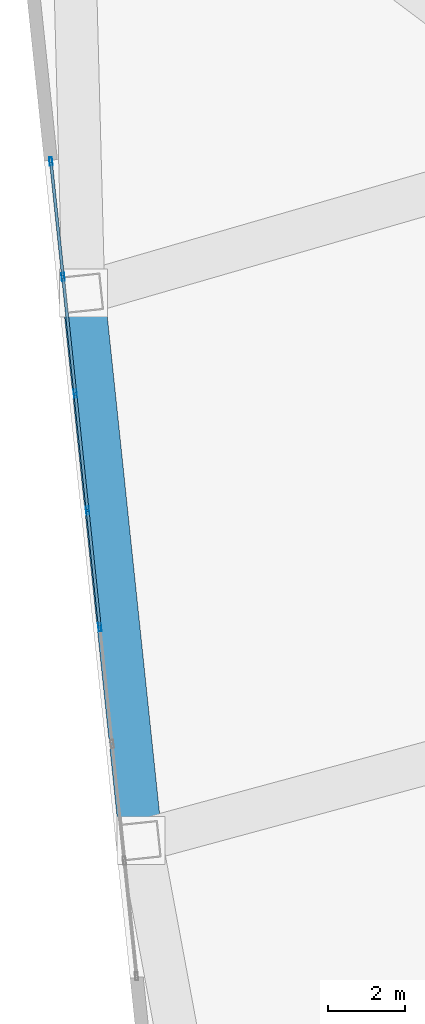
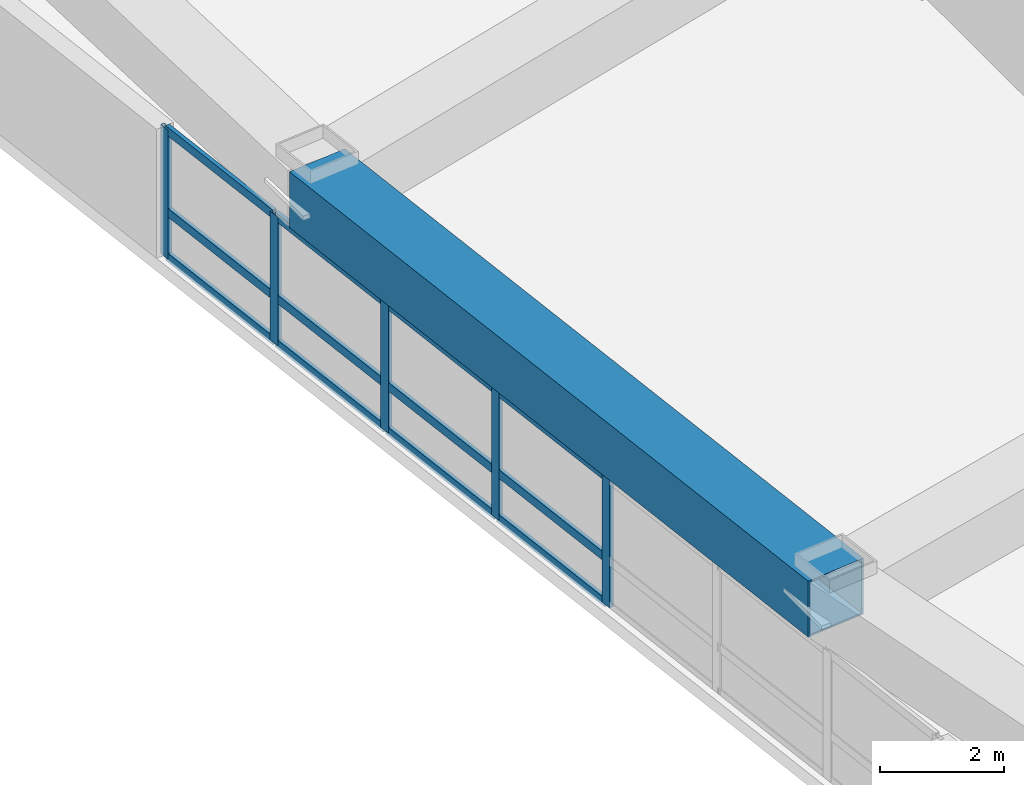
# One storey, part 4 of 14: 17 members, 1 beam, 1 element without a shape of its own.
"""IFC4 building model written with IfcOpenShell, lengths in metres."""

from ifc_helpers import new_model, si_unit, direction, frame, origin, origin_2d, place, context, subcontext, project, spatial, hollow_rectangle, extrude, material, layer, layer_set, material_profile, profile_set, type_object, element, aggregate, save


model = new_model("IFC4")

# Units and contexts
model_context = context("Model", 3, precision=1e-05, world=origin(), true_north=direction((0.0, 1.0)))
body_context = subcontext(model_context, "Body", "Model", "MODEL_VIEW")
ifc_project = project(units=[si_unit("LENGTHUNIT", "METRE"), si_unit("AREAUNIT", "SQUARE_METRE"), si_unit("VOLUMEUNIT", "CUBIC_METRE"), si_unit("PLANEANGLEUNIT", "RADIAN"), si_unit("MASSUNIT", "GRAM", prefix="KILO")], contexts=[model_context])

# Site, building, storey
site_placement = place(None, origin())
site = spatial("IfcSite", under=ifc_project, at=site_placement, CompositionType="ELEMENT")
building_placement = place(site_placement, origin())
building = spatial("IfcBuilding", under=site, at=building_placement, Name="Voryun Gate Residences", CompositionType="ELEMENT")
storey_placement = place(building_placement, frame((0.0, 0.0, 144.300048828125)))
storey = spatial("IfcBuildingStorey", under=building, at=storey_placement, Name="L35", CompositionType="ELEMENT", Elevation=144.300048828125)

# Beam
ifc_material_1 = material(Name="Steel SM420", Category="steel")
ifc_material_profile_1 = material_profile(ifc_material_1, hollow_rectangle(XDim=1.10009765625, YDim=1.10009765625, WallThickness=0.035888671875, at=origin_2d()), Name="BOX-1100x1100x36")
ifc_profile_set_1 = profile_set([ifc_material_profile_1], Name="Steel SM420")
beam_type = type_object("IfcBeamType", Name="BM_ARCH_RIB", PredefinedType="USERDEFINED", material=ifc_profile_set_1)
beam_placement = place(storey_placement, frame((-32.93359375, 3.424072265625, 3.099853515625), z_axis=(0.104540894669, -0.994520588697, 0.0), x_axis=(0.994520588697, 0.104540894669, 0.0)))
element("IfcBeam", 1, at=beam_placement, inside=storey, type_object=beam_type, Name="BM-L35-SPAND-18", ObjectType="GIRDER", PredefinedType="USERDEFINED", context=body_context, shape_type="SweptSolid", body=[
    extrude(hollow_rectangle(XDim=1.10009765625, YDim=1.10009765625, WallThickness=0.035888671875, at=origin_2d()), origin(), (0.0, 0.0, 1.0), 14.219970703125),
])

# Curtain wall, members
ifc_material_2 = material(Name="Anodised aluminium", Category="aluminium")
ifc_layer = layer(ifc_material_2, 0.2099609375, Name="CW_SYS_SKYGARDEN_DARK_GLASS")
ifc_layer_set = layer_set([ifc_layer], Name="Anodised aluminium")
curtain_wall_type = type_object("IfcCurtainWallType", Name="CW_SYS_SKYGARDEN_DARK_GLASS", PredefinedType="NOTDEFINED", material=ifc_layer_set)
curtain_wall_placement = place(storey_placement, origin())
curtain_wall = element("IfcCurtainWall", 2, at=curtain_wall_placement, inside=storey, type_object=curtain_wall_type, Name="Curtain wall CW5-L35-SG-06", PredefinedType="NOTDEFINED")
ifc_material_3 = material(Name="Anodised aluminium", Category="aluminium")
ifc_material_profile_2 = material_profile(ifc_material_3, hollow_rectangle(XDim=0.074951171875, YDim=0.2099609375, WallThickness=0.0048828125, at=origin_2d()), Name="ALU-MULL-210x75x5")
ifc_profile_set_2 = profile_set([ifc_material_profile_2], Name="Anodised aluminium")
member_type_1 = type_object("IfcMemberType", Name="CW_MULL_SKY", PredefinedType="MULLION", material=ifc_profile_set_2)
member_1_placement = place(storey_placement, frame((-32.50927734375, -5.205078125, 0.0), z_axis=(0.0, 0.0, 1.0), x_axis=(-0.994521755433, -0.104529794654, 0.0)))
member_1 = element("IfcMember", 3, at=member_1_placement, type_object=member_type_1, Name="CW5 mullion 4", PredefinedType="MULLION", context=body_context, shape_type="SweptSolid", body=[
    extrude(hollow_rectangle(XDim=0.074951171875, YDim=0.2099609375, WallThickness=0.0048828125, at=origin_2d()), origin(), (0.0, 0.0, 1.0), 2.5400390625),
])
member_2_placement = place(storey_placement, frame((-32.826171875, -2.189208984375, 0.0), z_axis=(0.0, 0.0, 1.0), x_axis=(-0.994521755433, -0.104529794654, 0.0)))
member_2 = element("IfcMember", 4, at=member_2_placement, type_object=member_type_1, Name="CW5 mullion 5", PredefinedType="MULLION", context=body_context, shape_type="SweptSolid", body=[
    extrude(hollow_rectangle(XDim=0.074951171875, YDim=0.2099609375, WallThickness=0.0048828125, at=origin_2d()), origin(), (0.0, 0.0, 1.0), 2.5400390625),
])
member_3_placement = place(storey_placement, frame((-33.14306640625, 0.826416015625, 0.0), z_axis=(0.0, 0.0, 1.0), x_axis=(-0.994521755433, -0.104529794654, 0.0)))
member_3 = element("IfcMember", 5, at=member_3_placement, type_object=member_type_1, Name="CW5 mullion 6", PredefinedType="MULLION", context=body_context, shape_type="SweptSolid", body=[
    extrude(hollow_rectangle(XDim=0.074951171875, YDim=0.2099609375, WallThickness=0.0048828125, at=origin_2d()), origin(), (0.0, 0.0, 1.0), 2.5400390625),
])
member_4_placement = place(storey_placement, frame((-33.460205078125, 3.842041015625, 0.0), z_axis=(0.0, 0.0, 1.0), x_axis=(-0.994521755433, -0.104529794654, 0.0)))
member_4 = element("IfcMember", 6, at=member_4_placement, type_object=member_type_1, Name="CW5 mullion 7", PredefinedType="MULLION", context=body_context, shape_type="SweptSolid", body=[
    extrude(hollow_rectangle(XDim=0.074951171875, YDim=0.2099609375, WallThickness=0.0048828125, at=origin_2d()), origin(), (0.0, 0.0, 1.0), 2.5400390625),
])
member_5_placement = place(storey_placement, frame((-33.77392578125, 6.828125, 0.0), z_axis=(0.0, 0.0, 1.0), x_axis=(-0.994521755433, -0.104529794654, 0.0)))
member_5 = element("IfcMember", 7, at=member_5_placement, type_object=member_type_1, Name="CW5 mullion 8", PredefinedType="MULLION", context=body_context, shape_type="SweptSolid", body=[
    extrude(hollow_rectangle(XDim=0.074951171875, YDim=0.2099609375, WallThickness=0.0048828125, at=origin_2d()), origin(), (0.0, 0.0, 1.0), 2.5400390625),
])
ifc_material_4 = material(Name="Anodised aluminium", Category="aluminium")
ifc_material_profile_3 = material_profile(ifc_material_4, hollow_rectangle(XDim=0.074951171875, YDim=0.169921875, WallThickness=0.0048828125, at=origin_2d()), Name="ALU-TRAN-170x75x5")
ifc_profile_set_3 = profile_set([ifc_material_profile_3], Name="Anodised aluminium")
member_type_2 = type_object("IfcMemberType", Name="CW_TRAN_SKY", PredefinedType="USERDEFINED", material=ifc_profile_set_3)
member_6_placement = place(storey_placement, frame((-32.512451171875, -5.17529296875, 0.030029296875), z_axis=(-0.10447954978, 0.994527035167, 0.0), x_axis=(-0.994527035167, -0.10447954978, 0.0)))
member_6 = element("IfcMember", 8, at=member_6_placement, type_object=member_type_2, Name="CW5 transom 4.1", ObjectType="TRANSOM", PredefinedType="USERDEFINED", context=body_context, shape_type="SweptSolid", body=[
    extrude(hollow_rectangle(XDim=0.074951171875, YDim=0.169921875, WallThickness=0.0048828125, at=origin_2d()), origin(), (0.0, 0.0, 1.0), 2.972412109375),
])
member_7_placement = place(storey_placement, frame((-32.512451171875, -5.17529296875, 0.914306640625), z_axis=(-0.10447954978, 0.994527035167, 0.0), x_axis=(-0.994527035167, -0.10447954978, 0.0)))
member_7 = element("IfcMember", 9, at=member_7_placement, type_object=member_type_2, Name="CW5 transom 4.2", ObjectType="TRANSOM", PredefinedType="USERDEFINED", context=body_context, shape_type="SweptSolid", body=[
    extrude(hollow_rectangle(XDim=0.074951171875, YDim=0.169921875, WallThickness=0.0048828125, at=origin_2d()), origin(), (0.0, 0.0, 1.0), 2.972412109375),
])
member_8_placement = place(storey_placement, frame((-32.512451171875, -5.17529296875, 2.510009765625), z_axis=(-0.10447954978, 0.994527035167, 0.0), x_axis=(-0.994527035167, -0.10447954978, 0.0)))
member_8 = element("IfcMember", 10, at=member_8_placement, type_object=member_type_2, Name="CW5 transom 4.3", ObjectType="TRANSOM", PredefinedType="USERDEFINED", context=body_context, shape_type="SweptSolid", body=[
    extrude(hollow_rectangle(XDim=0.074951171875, YDim=0.169921875, WallThickness=0.0048828125, at=origin_2d()), origin(), (0.0, 0.0, 1.0), 2.972412109375),
])
member_9_placement = place(storey_placement, frame((-32.829345703125, -2.159423828125, 0.030029296875), z_axis=(-0.104560790128, 0.994518497147, 0.0), x_axis=(-0.994518497147, -0.104560790128, 0.0)))
member_9 = element("IfcMember", 11, at=member_9_placement, type_object=member_type_2, Name="CW5 transom 5.1", ObjectType="TRANSOM", PredefinedType="USERDEFINED", context=body_context, shape_type="SweptSolid", body=[
    extrude(hollow_rectangle(XDim=0.074951171875, YDim=0.169921875, WallThickness=0.0048828125, at=origin_2d()), origin(), (0.0, 0.0, 1.0), 2.972412109375),
])
member_10_placement = place(storey_placement, frame((-32.829345703125, -2.159423828125, 0.914306640625), z_axis=(-0.104560790128, 0.994518497147, 0.0), x_axis=(-0.994518497147, -0.104560790128, 0.0)))
member_10 = element("IfcMember", 12, at=member_10_placement, type_object=member_type_2, Name="CW5 transom 5.2", ObjectType="TRANSOM", PredefinedType="USERDEFINED", context=body_context, shape_type="SweptSolid", body=[
    extrude(hollow_rectangle(XDim=0.074951171875, YDim=0.169921875, WallThickness=0.0048828125, at=origin_2d()), origin(), (0.0, 0.0, 1.0), 2.972412109375),
])
member_11_placement = place(storey_placement, frame((-32.829345703125, -2.159423828125, 2.510009765625), z_axis=(-0.104560790128, 0.994518497147, 0.0), x_axis=(-0.994518497147, -0.104560790128, 0.0)))
member_11 = element("IfcMember", 13, at=member_11_placement, type_object=member_type_2, Name="CW5 transom 5.3", ObjectType="TRANSOM", PredefinedType="USERDEFINED", context=body_context, shape_type="SweptSolid", body=[
    extrude(hollow_rectangle(XDim=0.074951171875, YDim=0.169921875, WallThickness=0.0048828125, at=origin_2d()), origin(), (0.0, 0.0, 1.0), 2.972412109375),
])
member_12_placement = place(storey_placement, frame((-33.146240234375, 0.856201171875, 0.030029296875), z_axis=(-0.104560790128, 0.994518497147, 0.0), x_axis=(-0.994518497147, -0.104560790128, 0.0)))
member_12 = element("IfcMember", 14, at=member_12_placement, type_object=member_type_2, Name="CW5 transom 6.1", ObjectType="TRANSOM", PredefinedType="USERDEFINED", context=body_context, shape_type="SweptSolid", body=[
    extrude(hollow_rectangle(XDim=0.074951171875, YDim=0.169921875, WallThickness=0.0048828125, at=origin_2d()), origin(), (0.0, 0.0, 1.0), 2.972412109375),
])
member_13_placement = place(storey_placement, frame((-33.146240234375, 0.856201171875, 0.914306640625), z_axis=(-0.104560790128, 0.994518497147, 0.0), x_axis=(-0.994518497147, -0.104560790128, 0.0)))
member_13 = element("IfcMember", 15, at=member_13_placement, type_object=member_type_2, Name="CW5 transom 6.2", ObjectType="TRANSOM", PredefinedType="USERDEFINED", context=body_context, shape_type="SweptSolid", body=[
    extrude(hollow_rectangle(XDim=0.074951171875, YDim=0.169921875, WallThickness=0.0048828125, at=origin_2d()), origin(), (0.0, 0.0, 1.0), 2.972412109375),
])
member_14_placement = place(storey_placement, frame((-33.146240234375, 0.856201171875, 2.510009765625), z_axis=(-0.104560790128, 0.994518497147, 0.0), x_axis=(-0.994518497147, -0.104560790128, 0.0)))
member_14 = element("IfcMember", 16, at=member_14_placement, type_object=member_type_2, Name="CW5 transom 6.3", ObjectType="TRANSOM", PredefinedType="USERDEFINED", context=body_context, shape_type="SweptSolid", body=[
    extrude(hollow_rectangle(XDim=0.074951171875, YDim=0.169921875, WallThickness=0.0048828125, at=origin_2d()), origin(), (0.0, 0.0, 1.0), 2.972412109375),
])
member_15_placement = place(storey_placement, frame((-33.46337890625, 3.8720703125, 0.030029296875), z_axis=(-0.104464502531, 0.994528615833, 0.0), x_axis=(-0.994528615833, -0.104464502531, 0.0)))
member_15 = element("IfcMember", 17, at=member_15_placement, type_object=member_type_2, Name="CW5 transom 7.1", ObjectType="TRANSOM", PredefinedType="USERDEFINED", context=body_context, shape_type="SweptSolid", body=[
    extrude(hollow_rectangle(XDim=0.074951171875, YDim=0.169921875, WallThickness=0.0048828125, at=origin_2d()), origin(), (0.0, 0.0, 1.0), 2.9423828125),
])
member_16_placement = place(storey_placement, frame((-33.46337890625, 3.8720703125, 0.914306640625), z_axis=(-0.104464502531, 0.994528615833, 0.0), x_axis=(-0.994528615833, -0.104464502531, 0.0)))
member_16 = element("IfcMember", 18, at=member_16_placement, type_object=member_type_2, Name="CW5 transom 7.2", ObjectType="TRANSOM", PredefinedType="USERDEFINED", context=body_context, shape_type="SweptSolid", body=[
    extrude(hollow_rectangle(XDim=0.074951171875, YDim=0.169921875, WallThickness=0.0048828125, at=origin_2d()), origin(), (0.0, 0.0, 1.0), 2.9423828125),
])
member_17_placement = place(storey_placement, frame((-33.46337890625, 3.8720703125, 2.510009765625), z_axis=(-0.104464502531, 0.994528615833, 0.0), x_axis=(-0.994528615833, -0.104464502531, 0.0)))
member_17 = element("IfcMember", 19, at=member_17_placement, type_object=member_type_2, Name="CW5 transom 7.3", ObjectType="TRANSOM", PredefinedType="USERDEFINED", context=body_context, shape_type="SweptSolid", body=[
    extrude(hollow_rectangle(XDim=0.074951171875, YDim=0.169921875, WallThickness=0.0048828125, at=origin_2d()), origin(), (0.0, 0.0, 1.0), 2.9423828125),
])
aggregate(curtain_wall, [member_1, member_2, member_3, member_4, member_5, member_6, member_7, member_8, member_9, member_10, member_11, member_12, member_13, member_14, member_15, member_16, member_17])

save(model, "model.ifc")
